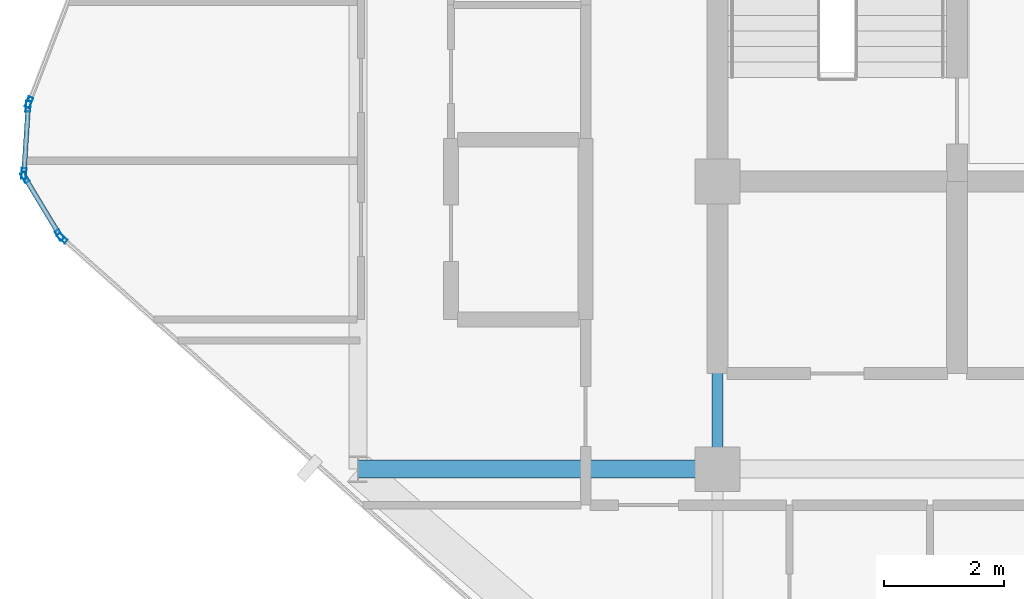
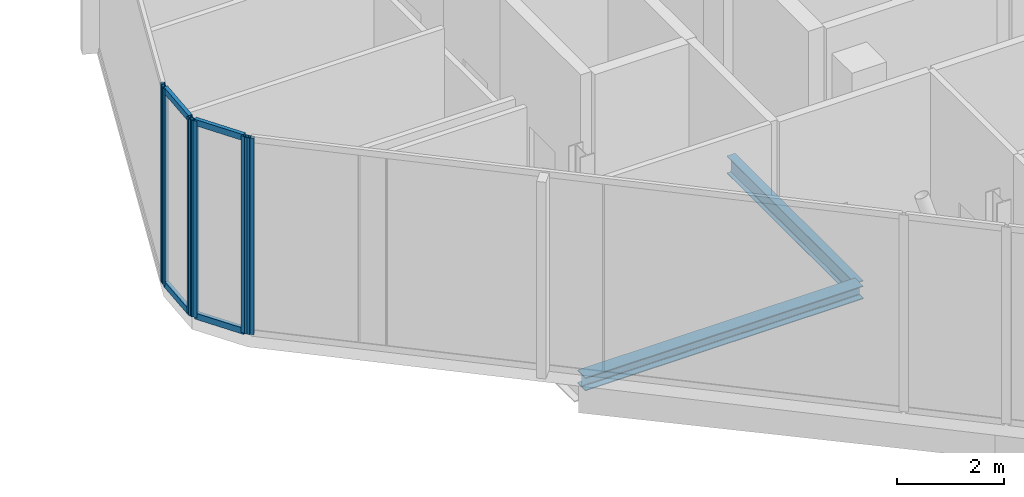
# One storey, part 8 of 29: 10 members, 2 beams, 4 elements without a shape of their own.
"""IFC4 building model written with IfcOpenShell, lengths in metres."""

from ifc_helpers import new_model, si_unit, direction, frame, origin, origin_2d, place, context, subcontext, project, spatial, hollow_rectangle, i_section, extrude, material, layer, layer_set, material_profile, profile_set, type_object, element, aggregate, save


model = new_model("IFC4")

# Units and contexts
model_context = context("Model", 3, precision=1e-05, world=origin(), true_north=direction((0.0, 1.0)))
body_context = subcontext(model_context, "Body", "Model", "MODEL_VIEW")
ifc_project = project(units=[si_unit("LENGTHUNIT", "METRE"), si_unit("AREAUNIT", "SQUARE_METRE"), si_unit("VOLUMEUNIT", "CUBIC_METRE"), si_unit("PLANEANGLEUNIT", "RADIAN"), si_unit("MASSUNIT", "GRAM", prefix="KILO")], contexts=[model_context])

# Site, building, storey
site_placement = place(None, origin())
site = spatial("IfcSite", under=ifc_project, at=site_placement, CompositionType="ELEMENT")
building_placement = place(site_placement, origin())
building = spatial("IfcBuilding", under=site, at=building_placement, Name="Keshet Zoharim Tower", CompositionType="ELEMENT")
storey_placement = place(building_placement, frame((0.0, 0.0, 218.0)))
storey = spatial("IfcBuildingStorey", under=building, at=storey_placement, Name="L54", CompositionType="ELEMENT", Elevation=218.0)

# Beams
ifc_material_1 = material(Name="Steel S355", Category="steel")
ifc_material_profile_1 = material_profile(ifc_material_1, i_section(OverallWidth=0.300048828125, OverallDepth=0.300048828125, WebThickness=0.010986328125, FlangeThickness=0.01904296875, FilletRadius=0.027099609375, at=origin_2d()), Name="HEB300")
ifc_profile_set_1 = profile_set([ifc_material_profile_1], Name="Steel S355")
beam_type_1 = type_object("IfcBeamType", Name="BM-PRI-HB300", PredefinedType="BEAM", material=ifc_profile_set_1)
beam_1_placement = place(storey_placement, frame((9.0, 17.89990234375, -0.469970703125), z_axis=(1.0, 0.0, 0.0), x_axis=(0.0, 1.0, 0.0)))
element("IfcBeam", 1, at=beam_1_placement, inside=storey, type_object=beam_type_1, Name="L54 Primary Girder X-011", PredefinedType="BEAM", context=body_context, shape_type="SweptSolid", body=[
    extrude(i_section(OverallWidth=0.300048828125, OverallDepth=0.300048828125, WebThickness=0.010986328125, FlangeThickness=0.01904296875, FilletRadius=0.027099609375, at=origin_2d()), origin(), (0.0, 0.0, 1.0), 6.0),
])
ifc_material_profile_2 = material_profile(ifc_material_1, i_section(OverallWidth=0.179931640625, OverallDepth=0.39990234375, WebThickness=0.008544921875, FlangeThickness=0.013427734375, FilletRadius=0.02099609375, at=origin_2d()), Name="IPE400")
ifc_profile_set_2 = profile_set([ifc_material_profile_2], Name="Steel S355")
beam_type_2 = type_object("IfcBeamType", Name="BM-PRI-IP400", PredefinedType="BEAM", material=ifc_profile_set_2)
beam_2_placement = place(storey_placement, frame((15.0, 17.89990234375, -0.52001953125), z_axis=(0.0, 1.0, 0.0), x_axis=(-1.0, 0.0, 0.0)))
element("IfcBeam", 2, at=beam_2_placement, inside=storey, type_object=beam_type_2, Name="L54 Primary Girder Y-003", PredefinedType="BEAM", context=body_context, shape_type="SweptSolid", body=[
    extrude(i_section(OverallWidth=0.179931640625, OverallDepth=0.39990234375, WebThickness=0.008544921875, FlangeThickness=0.013427734375, FilletRadius=0.02099609375, at=origin_2d()), origin(), (0.0, 0.0, 1.0), 4.800048828125),
])

# Curtain wall, member
ifc_material_2 = material(Name="Aluminium 6063-T6", Category="aluminium")
ifc_layer = layer(ifc_material_2, 0.14990234375)
ifc_layer_set = layer_set([ifc_layer], Name="Aluminium 6063-T6")
curtain_wall_type = type_object("IfcCurtainWallType", Name="CW-SYS-04", PredefinedType="NOTDEFINED", material=ifc_layer_set)
curtain_wall_1_placement = place(storey_placement, origin())
curtain_wall_1 = element("IfcCurtainWall", 3, at=curtain_wall_1_placement, inside=storey, type_object=curtain_wall_type, Name="L54 Unitised Curtain Wall 10 Part 3", PredefinedType="NOTDEFINED")
ifc_material_profile_3 = material_profile(ifc_material_2, hollow_rectangle(XDim=0.080078125, YDim=0.179931640625, WallThickness=0.00439453125, at=origin_2d()), Name="MUL-80x180")
ifc_profile_set_3 = profile_set([ifc_material_profile_3], Name="Aluminium 6063-T6")
member_type_1 = type_object("IfcMemberType", Name="CWM-M18", PredefinedType="MULLION", material=ifc_profile_set_3)
member_1_placement = place(storey_placement, frame((4.061279296875, 21.7568359375, 0.0), z_axis=(0.0, 0.0, 1.0), x_axis=(-0.664364335462, -0.747408877232, 0.0)))
member_1 = element("IfcMember", 4, at=member_1_placement, type_object=member_type_1, Name="CW-04 mullion 2", PredefinedType="MULLION", context=body_context, shape_type="SweptSolid", body=[
    extrude(hollow_rectangle(XDim=0.080078125, YDim=0.179931640625, WallThickness=0.00439453125, at=origin_2d()), origin(), (0.0, 0.0, 1.0), 4.489990234375),
])
aggregate(curtain_wall_1, [member_1])

# Curtain wall, members
curtain_wall_2_placement = place(storey_placement, origin())
curtain_wall_2 = element("IfcCurtainWall", 5, at=curtain_wall_2_placement, inside=storey, type_object=curtain_wall_type, Name="L54 Unitised Curtain Wall 11", PredefinedType="NOTDEFINED")
member_2_placement = place(storey_placement, frame((4.016845703125, 21.81005859375, 0.0), z_axis=(0.0, 0.0, 1.0), x_axis=(-0.856826433805, -0.515604947933, 0.0)))
member_2 = element("IfcMember", 6, at=member_2_placement, type_object=member_type_1, Name="CW-04 mullion 1", PredefinedType="MULLION", context=body_context, shape_type="SweptSolid", body=[
    extrude(hollow_rectangle(XDim=0.080078125, YDim=0.179931640625, WallThickness=0.00439453125, at=origin_2d()), origin(), (0.0, 0.0, 1.0), 4.489990234375),
])
member_3_placement = place(storey_placement, frame((3.43798828125, 22.77197265625, 0.0), z_axis=(0.0, 0.0, 1.0), x_axis=(-0.856826433805, -0.515604947933, 0.0)))
member_3 = element("IfcMember", 7, at=member_3_placement, type_object=member_type_1, Name="CW-04 mullion 2", PredefinedType="MULLION", context=body_context, shape_type="SweptSolid", body=[
    extrude(hollow_rectangle(XDim=0.080078125, YDim=0.179931640625, WallThickness=0.00439453125, at=origin_2d()), origin(), (0.0, 0.0, 1.0), 4.489990234375),
])

curtain_wall_3_placement = place(storey_placement, origin())
curtain_wall_3 = element("IfcCurtainWall", 8, at=curtain_wall_3_placement, inside=storey, type_object=curtain_wall_type, Name="L54 Unitised Curtain Wall 12", PredefinedType="NOTDEFINED")
member_4_placement = place(storey_placement, frame((3.42236328125, 22.8369140625, 0.0), z_axis=(0.0, 0.0, 1.0), x_axis=(-0.997916617186, 0.064516859374, 0.0)))
member_4 = element("IfcMember", 9, at=member_4_placement, type_object=member_type_1, Name="CW-04 mullion 1", PredefinedType="MULLION", context=body_context, shape_type="SweptSolid", body=[
    extrude(hollow_rectangle(XDim=0.080078125, YDim=0.179931640625, WallThickness=0.00439453125, at=origin_2d()), origin(), (0.0, 0.0, 1.0), 4.489990234375),
])
member_5_placement = place(storey_placement, frame((3.49462890625, 23.9580078125, 0.0), z_axis=(0.0, 0.0, 1.0), x_axis=(-0.997916617186, 0.064516859374, 0.0)))
member_5 = element("IfcMember", 10, at=member_5_placement, type_object=member_type_1, Name="CW-04 mullion 2", PredefinedType="MULLION", context=body_context, shape_type="SweptSolid", body=[
    extrude(hollow_rectangle(XDim=0.080078125, YDim=0.179931640625, WallThickness=0.00439453125, at=origin_2d()), origin(), (0.0, 0.0, 1.0), 4.489990234375),
])

# Curtain wall, member
curtain_wall_4_placement = place(storey_placement, origin())
curtain_wall_4 = element("IfcCurtainWall", 11, at=curtain_wall_4_placement, inside=storey, type_object=curtain_wall_type, Name="L54 Unitised Curtain Wall 13", PredefinedType="NOTDEFINED")
member_6_placement = place(storey_placement, frame((3.509521484375, 24.025634765625, 0.0), z_axis=(0.0, 0.0, 1.0), x_axis=(-0.933341404361, 0.358990003907, 0.0)))
member_6 = element("IfcMember", 12, at=member_6_placement, type_object=member_type_1, Name="CW-04 mullion 1", PredefinedType="MULLION", context=body_context, shape_type="SweptSolid", body=[
    extrude(hollow_rectangle(XDim=0.080078125, YDim=0.179931640625, WallThickness=0.00439453125, at=origin_2d()), origin(), (0.0, 0.0, 1.0), 4.489990234375),
])
aggregate(curtain_wall_4, [member_6])

# Member
ifc_material_profile_4 = material_profile(ifc_material_2, hollow_rectangle(XDim=0.080078125, YDim=0.139892578125, WallThickness=0.00390625, at=origin_2d()), Name="TRN-80x140")
ifc_profile_set_4 = profile_set([ifc_material_profile_4], Name="Aluminium 6063-T6")
member_type_2 = type_object("IfcMemberType", Name="CWT-T14", PredefinedType="USERDEFINED", material=ifc_profile_set_4)
member_7_placement = place(storey_placement, frame((3.9990234375, 21.840087890625, 0.034912109375), z_axis=(-0.515791194107, 0.856714330499, 0.0), x_axis=(-0.856714330499, -0.515791194107, 0.0)))
member_7 = element("IfcMember", 13, at=member_7_placement, type_object=member_type_2, Name="CW-04 transom 1.1", ObjectType="TRANSOM", PredefinedType="USERDEFINED", context=body_context, shape_type="SweptSolid", body=[
    extrude(hollow_rectangle(XDim=0.080078125, YDim=0.139892578125, WallThickness=0.00390625, at=origin_2d()), origin(), (0.0, 0.0, 1.0), 1.052734375),
])

member_8_placement = place(storey_placement, frame((3.9990234375, 21.840087890625, 4.455078125), z_axis=(-0.515791194107, 0.856714330499, 0.0), x_axis=(-0.856714330499, -0.515791194107, 0.0)))
member_8 = element("IfcMember", 14, at=member_8_placement, type_object=member_type_2, Name="CW-04 transom 1.2", ObjectType="TRANSOM", PredefinedType="USERDEFINED", context=body_context, shape_type="SweptSolid", body=[
    extrude(hollow_rectangle(XDim=0.080078125, YDim=0.139892578125, WallThickness=0.00390625, at=origin_2d()), origin(), (0.0, 0.0, 1.0), 1.052734375),
])

aggregate(curtain_wall_2, [member_2, member_3, member_7, member_8])

member_9_placement = place(storey_placement, frame((3.424560546875, 22.871826171875, 0.034912109375), z_axis=(0.064426947155, 0.997922426083, 0.0), x_axis=(-0.997922426083, 0.064426947155, 0.0)))
member_9 = element("IfcMember", 15, at=member_9_placement, type_object=member_type_2, Name="CW-04 transom 1.1", ObjectType="TRANSOM", PredefinedType="USERDEFINED", context=body_context, shape_type="SweptSolid", body=[
    extrude(hollow_rectangle(XDim=0.080078125, YDim=0.139892578125, WallThickness=0.00390625, at=origin_2d()), origin(), (0.0, 0.0, 1.0), 1.053466796875),
])

member_10_placement = place(storey_placement, frame((3.424560546875, 22.871826171875, 4.455078125), z_axis=(0.064426947155, 0.997922426083, 0.0), x_axis=(-0.997922426083, 0.064426947155, 0.0)))
member_10 = element("IfcMember", 16, at=member_10_placement, type_object=member_type_2, Name="CW-04 transom 1.2", ObjectType="TRANSOM", PredefinedType="USERDEFINED", context=body_context, shape_type="SweptSolid", body=[
    extrude(hollow_rectangle(XDim=0.080078125, YDim=0.139892578125, WallThickness=0.00390625, at=origin_2d()), origin(), (0.0, 0.0, 1.0), 1.053466796875),
])

aggregate(curtain_wall_3, [member_4, member_5, member_9, member_10])

save(model, "model.ifc")
